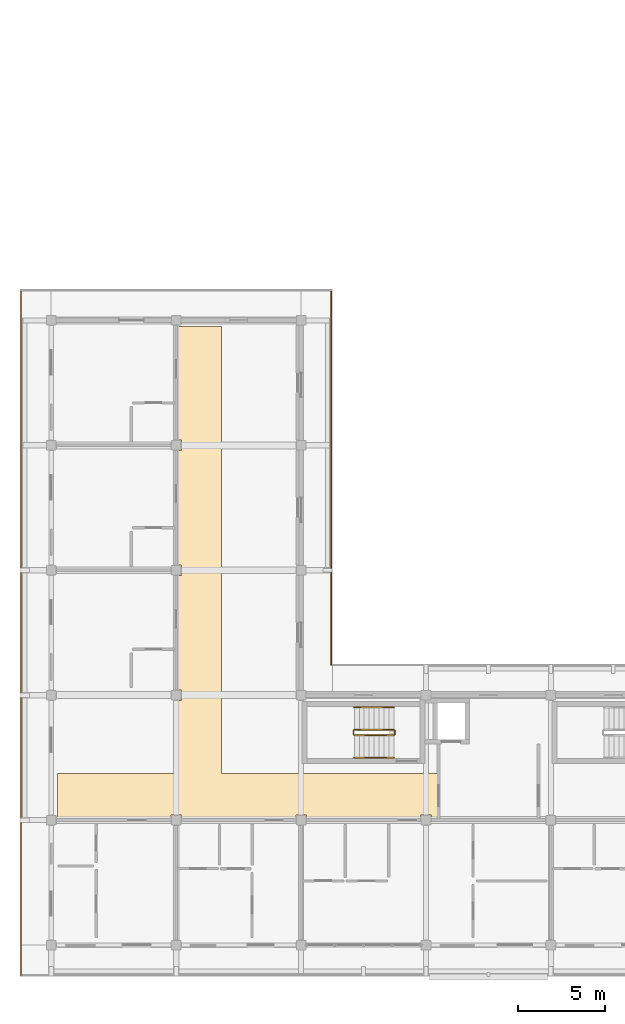
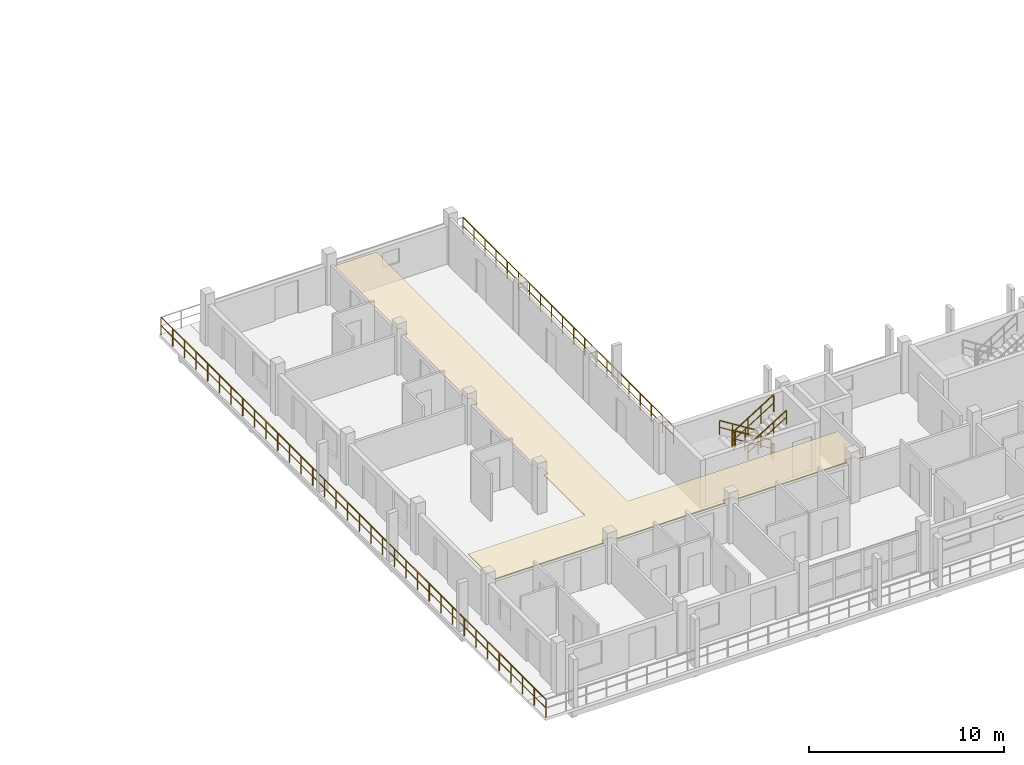
# One storey, part 60 of 73: 8 railings, 1 covering.
"""IFC4 building model written with IfcOpenShell, lengths in metres."""

from ifc_helpers import new_model, si_unit, direction, frame, origin, origin_2d, place, context, subcontext, project, spatial, polyline, rectangle, outline, extrude, material, layer, layer_set, type_object, element, save


model = new_model("IFC4")

# Units and contexts
model_context = context("Model", 3, precision=1e-05, world=origin(), true_north=direction((0.0, 1.0)))
body_context = subcontext(model_context, "Body", "Model", "MODEL_VIEW")
ifc_project = project(units=[si_unit("LENGTHUNIT", "METRE"), si_unit("AREAUNIT", "SQUARE_METRE"), si_unit("VOLUMEUNIT", "CUBIC_METRE"), si_unit("PLANEANGLEUNIT", "RADIAN"), si_unit("MASSUNIT", "GRAM", prefix="KILO")], contexts=[model_context])

# Site, building, storey
site_placement = place(None, origin())
site = spatial("IfcSite", under=ifc_project, at=site_placement, CompositionType="ELEMENT")
building_placement = place(site_placement, origin())
building = spatial("IfcBuilding", under=site, at=building_placement, Name="Suanplinth Sawtooth Commons", CompositionType="ELEMENT")
storey_placement = place(building_placement, frame((0.0, 0.0, 21.89990234375)))
storey = spatial("IfcBuildingStorey", under=building, at=storey_placement, Name="L06", CompositionType="ELEMENT", Elevation=21.89990234375)

# Covering
ifc_material_1 = material(Name="Mineral fibre acoustic tile")
ifc_layer = layer(ifc_material_1, 0.0400390625, Name="Perforated mineral-fibre acoustic suspended ceiling")
ifc_layer_set = layer_set([ifc_layer], Name="Mineral fibre acoustic tile")
covering_type = type_object("IfcCoveringType", Name="CV-CE01", PredefinedType="CEILING", material=ifc_layer_set)
covering_placement = place(storey_placement, frame((0.0, 0.0, 2.380126953125)))
element("IfcCovering", 1, at=covering_placement, inside=storey, type_object=covering_type, Name="L06 Block D Corridor Acoustic Ceiling", PredefinedType="CEILING", context=body_context, shape_type="SweptSolid", body=[
    extrude(outline(polyline([(0.360107421875, 9.89990234375), (7.280029296875, 9.89990234375), (7.280029296875, 14.094970703125), (7.5048828125, 14.094970703125), (7.5048828125, 14.705078125), (7.280029296875, 14.705078125), (7.280029296875, 21.294921875), (7.5048828125, 21.294921875), (7.5048828125, 21.905029296875), (7.280029296875, 21.905029296875), (7.280029296875, 28.4951171875), (7.5048828125, 28.4951171875), (7.5048828125, 29.10498046875), (7.280029296875, 29.10498046875), (7.280029296875, 35.639892578125), (9.800048828125, 35.639892578125), (9.800048828125, 9.89990234375), (22.280029296875, 9.89990234375), (22.280029296875, 7.280029296875), (21.905029296875, 7.280029296875), (21.905029296875, 7.5048828125), (21.294921875, 7.5048828125), (21.294921875, 7.280029296875), (14.705078125, 7.280029296875), (14.705078125, 7.5048828125), (14.094970703125, 7.5048828125), (14.094970703125, 7.280029296875), (7.5048828125, 7.280029296875), (7.5048828125, 7.5048828125), (6.89501953125, 7.5048828125), (6.89501953125, 7.280029296875), (0.360107421875, 7.280029296875), (0.360107421875, 9.89990234375)])), origin(), (0.0, 0.0, 1.0), 0.0400390625),
])

# Railings
ifc_material_2 = material(Name="Powder-coated galvanized steel", Category="steel")
railing_type_1 = type_object("IfcRailingType", Name="GR-01", PredefinedType="BALUSTRADE", material=ifc_material_2)
railing_1_placement = place(storey_placement, frame((-1.739990234375, -1.739990234375, 0.0)))
element("IfcRailing", 2, at=railing_1_placement, inside=storey, type_object=railing_type_1, Name="L06 Block D Perimeter Balustrade 1", PredefinedType="BALUSTRADE", context=body_context, shape_type="SweptSolid", body=[
    extrude(rectangle(XDim=0.048095703125, YDim=0.048095703125, at=origin_2d()), frame((0.0, 0.0, 1.09619140625), z_axis=(0.0, 1.0, 0.0), x_axis=(-1.0, 0.0, 0.0)), (0.0, 0.0, 1.0), 39.47998046875),
    extrude(rectangle(XDim=0.03369140625, YDim=0.03369140625, at=origin_2d()), frame((0.0, 0.0, 0.56005859375), z_axis=(0.0, 1.0, 0.0), x_axis=(-1.0, 0.0, 0.0)), (0.0, 0.0, 1.0), 39.47998046875),
    extrude(rectangle(XDim=0.0419921875, YDim=0.0419921875, at=origin_2d()), origin(), (0.0, 0.0, 1.0), 1.072021484375),
    extrude(rectangle(XDim=0.0419921875, YDim=0.0419921875, at=origin_2d()), frame((0.0, 1.1962890625, 0.0)), (0.0, 0.0, 1.0), 1.072021484375),
    extrude(rectangle(XDim=0.0419921875, YDim=0.0419921875, at=origin_2d()), frame((0.0, 2.392822265625, 0.0)), (0.0, 0.0, 1.0), 1.072021484375),
    extrude(rectangle(XDim=0.0419921875, YDim=0.0419921875, at=origin_2d()), frame((0.0, 3.589111328125, 0.0)), (0.0, 0.0, 1.0), 1.072021484375),
    extrude(rectangle(XDim=0.0419921875, YDim=0.0419921875, at=origin_2d()), frame((0.0, 4.785400390625, 0.0)), (0.0, 0.0, 1.0), 1.072021484375),
    extrude(rectangle(XDim=0.0419921875, YDim=0.0419921875, at=origin_2d()), frame((0.0, 5.98193359375, 0.0)), (0.0, 0.0, 1.0), 1.072021484375),
    extrude(rectangle(XDim=0.0419921875, YDim=0.0419921875, at=origin_2d()), frame((0.0, 7.17822265625, 0.0)), (0.0, 0.0, 1.0), 1.072021484375),
    extrude(rectangle(XDim=0.0419921875, YDim=0.0419921875, at=origin_2d()), frame((0.0, 8.37451171875, 0.0)), (0.0, 0.0, 1.0), 1.072021484375),
    extrude(rectangle(XDim=0.0419921875, YDim=0.0419921875, at=origin_2d()), frame((0.0, 9.57080078125, 0.0)), (0.0, 0.0, 1.0), 1.072021484375),
    extrude(rectangle(XDim=0.0419921875, YDim=0.0419921875, at=origin_2d()), frame((0.0, 10.767333984375, 0.0)), (0.0, 0.0, 1.0), 1.072021484375),
    extrude(rectangle(XDim=0.0419921875, YDim=0.0419921875, at=origin_2d()), frame((0.0, 11.963623046875, 0.0)), (0.0, 0.0, 1.0), 1.072021484375),
    extrude(rectangle(XDim=0.0419921875, YDim=0.0419921875, at=origin_2d()), frame((0.0, 13.159912109375, 0.0)), (0.0, 0.0, 1.0), 1.072021484375),
    extrude(rectangle(XDim=0.0419921875, YDim=0.0419921875, at=origin_2d()), frame((0.0, 14.3564453125, 0.0)), (0.0, 0.0, 1.0), 1.072021484375),
    extrude(rectangle(XDim=0.0419921875, YDim=0.0419921875, at=origin_2d()), frame((0.0, 15.552734375, 0.0)), (0.0, 0.0, 1.0), 1.072021484375),
    extrude(rectangle(XDim=0.0419921875, YDim=0.0419921875, at=origin_2d()), frame((0.0, 16.7490234375, 0.0)), (0.0, 0.0, 1.0), 1.072021484375),
    extrude(rectangle(XDim=0.0419921875, YDim=0.0419921875, at=origin_2d()), frame((0.0, 17.945556640625, 0.0)), (0.0, 0.0, 1.0), 1.072021484375),
    extrude(rectangle(XDim=0.0419921875, YDim=0.0419921875, at=origin_2d()), frame((0.0, 19.141845703125, 0.0)), (0.0, 0.0, 1.0), 1.072021484375),
    extrude(rectangle(XDim=0.0419921875, YDim=0.0419921875, at=origin_2d()), frame((0.0, 20.338134765625, 0.0)), (0.0, 0.0, 1.0), 1.072021484375),
    extrude(rectangle(XDim=0.0419921875, YDim=0.0419921875, at=origin_2d()), frame((0.0, 21.534423828125, 0.0)), (0.0, 0.0, 1.0), 1.072021484375),
    extrude(rectangle(XDim=0.0419921875, YDim=0.0419921875, at=origin_2d()), frame((0.0, 22.73095703125, 0.0)), (0.0, 0.0, 1.0), 1.072021484375),
    extrude(rectangle(XDim=0.0419921875, YDim=0.0419921875, at=origin_2d()), frame((0.0, 23.92724609375, 0.0)), (0.0, 0.0, 1.0), 1.072021484375),
    extrude(rectangle(XDim=0.0419921875, YDim=0.0419921875, at=origin_2d()), frame((0.0, 25.12353515625, 0.0)), (0.0, 0.0, 1.0), 1.072021484375),
    extrude(rectangle(XDim=0.0419921875, YDim=0.0419921875, at=origin_2d()), frame((0.0, 26.320068359375, 0.0)), (0.0, 0.0, 1.0), 1.072021484375),
    extrude(rectangle(XDim=0.0419921875, YDim=0.0419921875, at=origin_2d()), frame((0.0, 27.516357421875, 0.0)), (0.0, 0.0, 1.0), 1.072021484375),
    extrude(rectangle(XDim=0.0419921875, YDim=0.0419921875, at=origin_2d()), frame((0.0, 28.712646484375, 0.0)), (0.0, 0.0, 1.0), 1.072021484375),
    extrude(rectangle(XDim=0.0419921875, YDim=0.0419921875, at=origin_2d()), frame((0.0, 29.9091796875, 0.0)), (0.0, 0.0, 1.0), 1.072021484375),
    extrude(rectangle(XDim=0.0419921875, YDim=0.0419921875, at=origin_2d()), frame((0.0, 31.10546875, 0.0)), (0.0, 0.0, 1.0), 1.072021484375),
    extrude(rectangle(XDim=0.0419921875, YDim=0.0419921875, at=origin_2d()), frame((0.0, 32.3017578125, 0.0)), (0.0, 0.0, 1.0), 1.072021484375),
    extrude(rectangle(XDim=0.0419921875, YDim=0.0419921875, at=origin_2d()), frame((0.0, 33.498046875, 0.0)), (0.0, 0.0, 1.0), 1.072021484375),
    extrude(rectangle(XDim=0.0419921875, YDim=0.0419921875, at=origin_2d()), frame((0.0, 34.694580078125, 0.0)), (0.0, 0.0, 1.0), 1.072021484375),
    extrude(rectangle(XDim=0.0419921875, YDim=0.0419921875, at=origin_2d()), frame((0.0, 35.890869140625, 0.0)), (0.0, 0.0, 1.0), 1.072021484375),
    extrude(rectangle(XDim=0.0419921875, YDim=0.0419921875, at=origin_2d()), frame((0.0, 37.087158203125, 0.0)), (0.0, 0.0, 1.0), 1.072021484375),
    extrude(rectangle(XDim=0.0419921875, YDim=0.0419921875, at=origin_2d()), frame((0.0, 38.28369140625, 0.0)), (0.0, 0.0, 1.0), 1.072021484375),
    extrude(rectangle(XDim=0.0419921875, YDim=0.0419921875, at=origin_2d()), frame((0.0, 39.47998046875, 0.0)), (0.0, 0.0, 1.0), 1.072021484375),
])
railing_2_placement = place(storey_placement, frame((16.139892578125, 37.739990234375, 0.0)))
element("IfcRailing", 3, at=railing_2_placement, inside=storey, type_object=railing_type_1, Name="L06 Block D Perimeter Balustrade 3", PredefinedType="BALUSTRADE", context=body_context, shape_type="SweptSolid", body=[
    extrude(rectangle(XDim=0.048095703125, YDim=0.048095703125, at=origin_2d()), frame((0.0, 0.0, 1.09619140625), z_axis=(0.0, -1.0, 0.0), x_axis=(1.0, 0.0, 0.0)), (0.0, 0.0, 1.0), 21.60009765625),
    extrude(rectangle(XDim=0.03369140625, YDim=0.03369140625, at=origin_2d()), frame((0.0, 0.0, 0.56005859375), z_axis=(0.0, -1.0, 0.0), x_axis=(1.0, 0.0, 0.0)), (0.0, 0.0, 1.0), 21.60009765625),
    extrude(rectangle(XDim=0.0419921875, YDim=0.0419921875, at=origin_2d()), origin(), (0.0, 0.0, 1.0), 1.072021484375),
    extrude(rectangle(XDim=0.0419921875, YDim=0.0419921875, at=origin_2d()), frame((0.0, -1.136962890625, 0.0)), (0.0, 0.0, 1.0), 1.072021484375),
    extrude(rectangle(XDim=0.0419921875, YDim=0.0419921875, at=origin_2d()), frame((0.0, -2.273681640625, 0.0)), (0.0, 0.0, 1.0), 1.072021484375),
    extrude(rectangle(XDim=0.0419921875, YDim=0.0419921875, at=origin_2d()), frame((0.0, -3.41064453125, 0.0)), (0.0, 0.0, 1.0), 1.072021484375),
    extrude(rectangle(XDim=0.0419921875, YDim=0.0419921875, at=origin_2d()), frame((0.0, -4.54736328125, 0.0)), (0.0, 0.0, 1.0), 1.072021484375),
    extrude(rectangle(XDim=0.0419921875, YDim=0.0419921875, at=origin_2d()), frame((0.0, -5.684326171875, 0.0)), (0.0, 0.0, 1.0), 1.072021484375),
    extrude(rectangle(XDim=0.0419921875, YDim=0.0419921875, at=origin_2d()), frame((0.0, -6.821044921875, 0.0)), (0.0, 0.0, 1.0), 1.072021484375),
    extrude(rectangle(XDim=0.0419921875, YDim=0.0419921875, at=origin_2d()), frame((0.0, -7.9580078125, 0.0)), (0.0, 0.0, 1.0), 1.072021484375),
    extrude(rectangle(XDim=0.0419921875, YDim=0.0419921875, at=origin_2d()), frame((0.0, -9.0947265625, 0.0)), (0.0, 0.0, 1.0), 1.072021484375),
    extrude(rectangle(XDim=0.0419921875, YDim=0.0419921875, at=origin_2d()), frame((0.0, -10.231689453125, 0.0)), (0.0, 0.0, 1.0), 1.072021484375),
    extrude(rectangle(XDim=0.0419921875, YDim=0.0419921875, at=origin_2d()), frame((0.0, -11.368408203125, 0.0)), (0.0, 0.0, 1.0), 1.072021484375),
    extrude(rectangle(XDim=0.0419921875, YDim=0.0419921875, at=origin_2d()), frame((0.0, -12.50537109375, 0.0)), (0.0, 0.0, 1.0), 1.072021484375),
    extrude(rectangle(XDim=0.0419921875, YDim=0.0419921875, at=origin_2d()), frame((0.0, -13.64208984375, 0.0)), (0.0, 0.0, 1.0), 1.072021484375),
    extrude(rectangle(XDim=0.0419921875, YDim=0.0419921875, at=origin_2d()), frame((0.0, -14.779052734375, 0.0)), (0.0, 0.0, 1.0), 1.072021484375),
    extrude(rectangle(XDim=0.0419921875, YDim=0.0419921875, at=origin_2d()), frame((0.0, -15.915771484375, 0.0)), (0.0, 0.0, 1.0), 1.072021484375),
    extrude(rectangle(XDim=0.0419921875, YDim=0.0419921875, at=origin_2d()), frame((0.0, -17.052734375, 0.0)), (0.0, 0.0, 1.0), 1.072021484375),
    extrude(rectangle(XDim=0.0419921875, YDim=0.0419921875, at=origin_2d()), frame((0.0, -18.189453125, 0.0)), (0.0, 0.0, 1.0), 1.072021484375),
    extrude(rectangle(XDim=0.0419921875, YDim=0.0419921875, at=origin_2d()), frame((0.0, -19.326416015625, 0.0)), (0.0, 0.0, 1.0), 1.072021484375),
    extrude(rectangle(XDim=0.0419921875, YDim=0.0419921875, at=origin_2d()), frame((0.0, -20.463134765625, 0.0)), (0.0, 0.0, 1.0), 1.072021484375),
    extrude(rectangle(XDim=0.0419921875, YDim=0.0419921875, at=origin_2d()), frame((0.0, -21.60009765625, 0.0)), (0.0, 0.0, 1.0), 1.072021484375),
])
ifc_material_3 = material(Name="Stainless steel Grade 304", Category="steel")
railing_type_2 = type_object("IfcRailingType", Name="GR-04", PredefinedType="GUARDRAIL", material=ifc_material_3)
railing_3_placement = place(storey_placement, frame((19.75, 12.39990234375, 0.177978515625)))
element("IfcRailing", 4, at=railing_3_placement, inside=storey, type_object=railing_type_2, Name="L06 ST-W1 Guard 1", PredefinedType="GUARDRAIL", context=body_context, shape_type="SweptSolid", body=[
    extrude(rectangle(XDim=0.048095703125, YDim=0.048095703125, at=origin_2d()), frame((0.0, 0.0, 1.076171875), z_axis=(-0.848482842525, 0.0, 0.529222888715), x_axis=(0.0, -1.0, 0.0)), (0.0, 0.0, 1.0), 2.687255859375),
    extrude(rectangle(XDim=0.03369140625, YDim=0.03369140625, at=origin_2d()), frame((0.0, 0.0, 0.550048828125), z_axis=(-0.848482842525, 0.0, 0.529222888715), x_axis=(0.0, -1.0, 0.0)), (0.0, 0.0, 1.0), 2.687255859375),
    extrude(rectangle(XDim=0.0419921875, YDim=0.0419921875, at=origin_2d()), origin(), (0.0, 0.0, 1.0), 1.052001953125),
    extrude(rectangle(XDim=0.0419921875, YDim=0.0419921875, at=origin_2d()), frame((-0.760009765625, 0.0, 0.47412109375)), (0.0, 0.0, 1.0), 1.052001953125),
    extrude(rectangle(XDim=0.0419921875, YDim=0.0419921875, at=origin_2d()), frame((-1.52001953125, 0.0, 0.947998046875)), (0.0, 0.0, 1.0), 1.052001953125),
    extrude(rectangle(XDim=0.0419921875, YDim=0.0419921875, at=origin_2d()), frame((-2.280029296875, 0.0, 1.422119140625)), (0.0, 0.0, 1.0), 1.052001953125),
])
railing_4_placement = place(storey_placement, frame((17.419921875, 12.35009765625, 1.60009765625)))
element("IfcRailing", 5, at=railing_4_placement, inside=storey, type_object=railing_type_2, Name="L06 ST-W1 Guard 2", PredefinedType="GUARDRAIL", context=body_context, shape_type="SweptSolid", body=[
    extrude(rectangle(XDim=0.048095703125, YDim=0.048095703125, at=origin_2d()), frame((0.0, 0.0, 1.076171875), z_axis=(0.0, -1.0, 0.0), x_axis=(1.0, 0.0, 0.0)), (0.0, 0.0, 1.0), 0.2001953125),
    extrude(rectangle(XDim=0.03369140625, YDim=0.03369140625, at=origin_2d()), frame((0.0, 0.0, 0.550048828125), z_axis=(0.0, -1.0, 0.0), x_axis=(1.0, 0.0, 0.0)), (0.0, 0.0, 1.0), 0.2001953125),
    extrude(rectangle(XDim=0.0419921875, YDim=0.0419921875, at=origin_2d()), origin(), (0.0, 0.0, 1.0), 1.052001953125),
    extrude(rectangle(XDim=0.0419921875, YDim=0.0419921875, at=origin_2d()), frame((0.0, -0.2001953125, 0.0)), (0.0, 0.0, 1.0), 1.052001953125),
])
railing_5_placement = place(storey_placement, frame((17.469970703125, 12.10009765625, 1.77783203125)))
element("IfcRailing", 6, at=railing_5_placement, inside=storey, type_object=railing_type_2, Name="L06 ST-W1 Guard 3", PredefinedType="GUARDRAIL", context=body_context, shape_type="SweptSolid", body=[
    extrude(rectangle(XDim=0.048095703125, YDim=0.048095703125, at=origin_2d()), frame((0.0, 0.0, 1.076171875), z_axis=(0.848442045328, 0.0, 0.529288291689), x_axis=(0.0, 1.0, 0.0)), (0.0, 0.0, 1.0), 2.687255859375),
    extrude(rectangle(XDim=0.03369140625, YDim=0.03369140625, at=origin_2d()), frame((0.0, 0.0, 0.550048828125), z_axis=(0.848442045328, 0.0, 0.529288291689), x_axis=(0.0, 1.0, 0.0)), (0.0, 0.0, 1.0), 2.687255859375),
    extrude(rectangle(XDim=0.0419921875, YDim=0.0419921875, at=origin_2d()), origin(), (0.0, 0.0, 1.0), 1.052001953125),
    extrude(rectangle(XDim=0.0419921875, YDim=0.0419921875, at=origin_2d()), frame((0.760009765625, 0.0, 0.47412109375)), (0.0, 0.0, 1.0), 1.052001953125),
    extrude(rectangle(XDim=0.0419921875, YDim=0.0419921875, at=origin_2d()), frame((1.52001953125, 0.0, 0.9482421875)), (0.0, 0.0, 1.0), 1.052001953125),
    extrude(rectangle(XDim=0.0419921875, YDim=0.0419921875, at=origin_2d()), frame((2.280029296875, 0.0, 1.42236328125)), (0.0, 0.0, 1.0), 1.052001953125),
])
railing_6_placement = place(storey_placement, frame((19.800048828125, 12.35009765625, 0.0)))
element("IfcRailing", 7, at=railing_6_placement, inside=storey, type_object=railing_type_2, Name="L06 ST-W1 Guard 4", PredefinedType="GUARDRAIL", context=body_context, shape_type="SweptSolid", body=[
    extrude(rectangle(XDim=0.048095703125, YDim=0.048095703125, at=origin_2d()), frame((0.0, 0.0, 1.076171875), z_axis=(0.0, -1.0, 0.0), x_axis=(1.0, 0.0, 0.0)), (0.0, 0.0, 1.0), 0.2001953125),
    extrude(rectangle(XDim=0.03369140625, YDim=0.03369140625, at=origin_2d()), frame((0.0, 0.0, 0.550048828125), z_axis=(0.0, -1.0, 0.0), x_axis=(1.0, 0.0, 0.0)), (0.0, 0.0, 1.0), 0.2001953125),
    extrude(rectangle(XDim=0.0419921875, YDim=0.0419921875, at=origin_2d()), origin(), (0.0, 0.0, 1.0), 1.052001953125),
    extrude(rectangle(XDim=0.0419921875, YDim=0.0419921875, at=origin_2d()), frame((0.0, -0.2001953125, 0.0)), (0.0, 0.0, 1.0), 1.052001953125),
])
railing_type_3 = type_object("IfcRailingType", Name="HR-01", PredefinedType="HANDRAIL", material=ifc_material_3)
railing_7_placement = place(storey_placement, frame((19.75, 13.699951171875, 0.177978515625)))
element("IfcRailing", 8, at=railing_7_placement, inside=storey, type_object=railing_type_3, Name="L06 ST-W1 Handrail 1", PredefinedType="HANDRAIL", context=body_context, shape_type="SweptSolid", body=[
    extrude(rectangle(XDim=0.048095703125, YDim=0.048095703125, at=origin_2d()), frame((0.0, 0.0, 0.8759765625), z_axis=(-0.848482842525, 0.0, 0.529222888715), x_axis=(0.0, -1.0, 0.0)), (0.0, 0.0, 1.0), 2.687255859375),
    extrude(rectangle(XDim=0.03369140625, YDim=0.03369140625, at=origin_2d()), frame((0.0, 0.0, 0.449951171875), z_axis=(-0.848482842525, 0.0, 0.529222888715), x_axis=(0.0, -1.0, 0.0)), (0.0, 0.0, 1.0), 2.687255859375),
    extrude(rectangle(XDim=0.0419921875, YDim=0.0419921875, at=origin_2d()), origin(), (0.0, 0.0, 1.0), 0.851806640625),
    extrude(rectangle(XDim=0.0419921875, YDim=0.0419921875, at=origin_2d()), frame((-0.760009765625, 0.0, 0.47412109375)), (0.0, 0.0, 1.0), 0.851806640625),
    extrude(rectangle(XDim=0.0419921875, YDim=0.0419921875, at=origin_2d()), frame((-1.52001953125, 0.0, 0.947998046875)), (0.0, 0.0, 1.0), 0.851806640625),
    extrude(rectangle(XDim=0.0419921875, YDim=0.0419921875, at=origin_2d()), frame((-2.280029296875, 0.0, 1.422119140625)), (0.0, 0.0, 1.0), 0.851806640625),
])
railing_8_placement = place(storey_placement, frame((17.469970703125, 10.800048828125, 1.77783203125)))
element("IfcRailing", 9, at=railing_8_placement, inside=storey, type_object=railing_type_3, Name="L06 ST-W1 Handrail 2", PredefinedType="HANDRAIL", context=body_context, shape_type="SweptSolid", body=[
    extrude(rectangle(XDim=0.048095703125, YDim=0.048095703125, at=origin_2d()), frame((0.0, 0.0, 0.8759765625), z_axis=(0.848442045328, 0.0, 0.529288291689), x_axis=(0.0, 1.0, 0.0)), (0.0, 0.0, 1.0), 2.687255859375),
    extrude(rectangle(XDim=0.03369140625, YDim=0.03369140625, at=origin_2d()), frame((0.0, 0.0, 0.449951171875), z_axis=(0.848442045328, 0.0, 0.529288291689), x_axis=(0.0, 1.0, 0.0)), (0.0, 0.0, 1.0), 2.687255859375),
    extrude(rectangle(XDim=0.0419921875, YDim=0.0419921875, at=origin_2d()), origin(), (0.0, 0.0, 1.0), 0.851806640625),
    extrude(rectangle(XDim=0.0419921875, YDim=0.0419921875, at=origin_2d()), frame((0.760009765625, 0.0, 0.47412109375)), (0.0, 0.0, 1.0), 0.851806640625),
    extrude(rectangle(XDim=0.0419921875, YDim=0.0419921875, at=origin_2d()), frame((1.52001953125, 0.0, 0.9482421875)), (0.0, 0.0, 1.0), 0.851806640625),
    extrude(rectangle(XDim=0.0419921875, YDim=0.0419921875, at=origin_2d()), frame((2.280029296875, 0.0, 1.42236328125)), (0.0, 0.0, 1.0), 0.851806640625),
])

save(model, "model.ifc")
